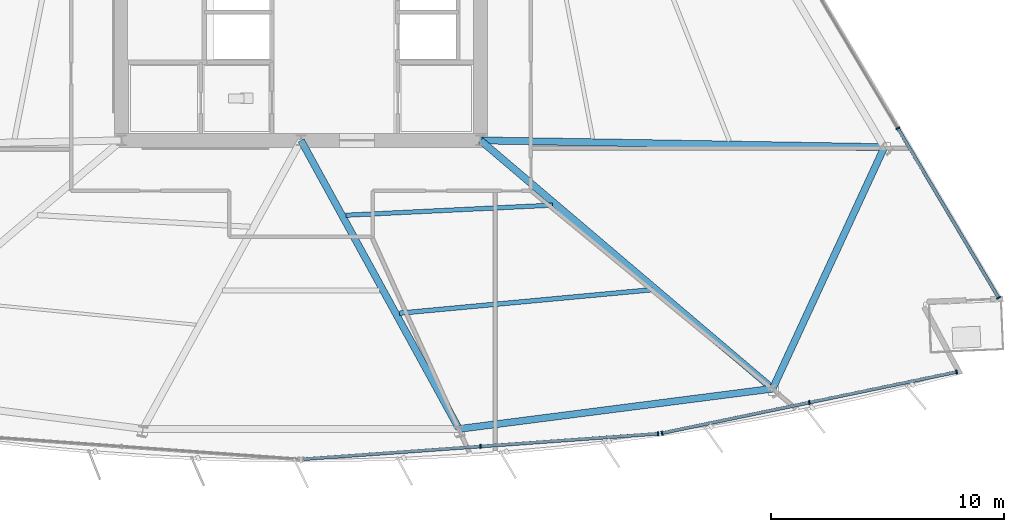
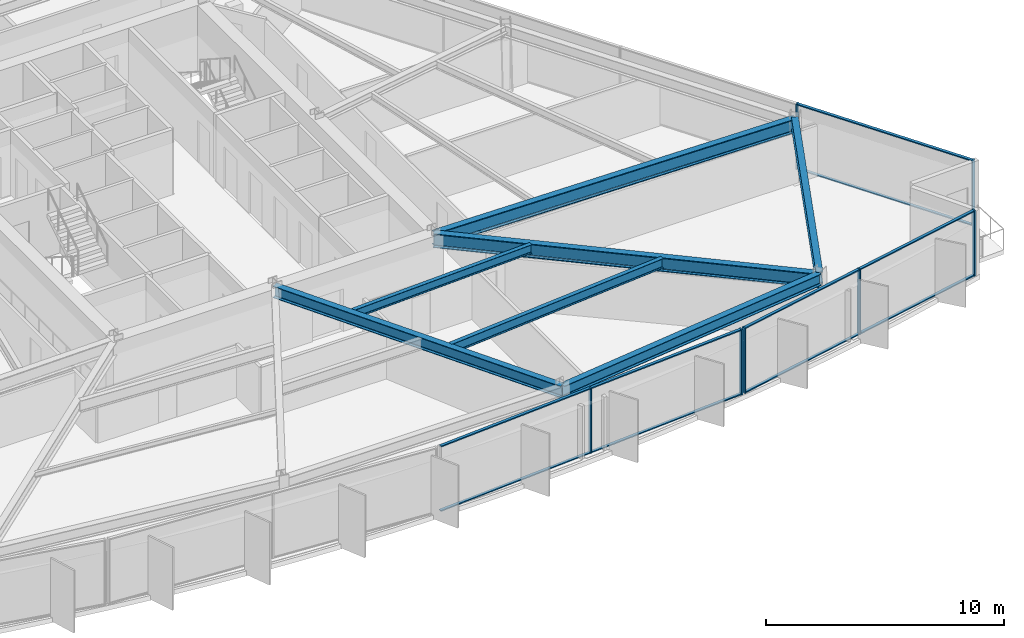
# One storey, part 5 of 16: 17 members, 7 beams, 3 elements without a shape of their own.
"""IFC4 building model written with IfcOpenShell, lengths in metres."""

from ifc_helpers import new_model, si_unit, direction, frame, origin, origin_2d, place, context, subcontext, project, spatial, rectangle, i_section, extrude, material, material_profile, profile_set, type_object, element, aggregate, save


model = new_model("IFC4")

# Units and contexts
model_context = context("Model", 3, precision=1e-05, world=origin(), true_north=direction((0.0, 1.0)))
body_context = subcontext(model_context, "Body", "Model", "MODEL_VIEW")
ifc_project = project(units=[si_unit("LENGTHUNIT", "METRE"), si_unit("AREAUNIT", "SQUARE_METRE"), si_unit("VOLUMEUNIT", "CUBIC_METRE"), si_unit("PLANEANGLEUNIT", "RADIAN"), si_unit("MASSUNIT", "GRAM", prefix="KILO")], contexts=[model_context])

# Site, building, storey
site_placement = place(None, origin())
site = spatial("IfcSite", under=ifc_project, at=site_placement, CompositionType="ELEMENT")
building_placement = place(site_placement, origin())
building = spatial("IfcBuilding", under=site, at=building_placement, Name="Savorim Split Tower", CompositionType="ELEMENT")
storey_placement = place(building_placement, frame((0.0, 0.0, 30.0)))
storey = spatial("IfcBuildingStorey", under=building, at=storey_placement, Name="L07", CompositionType="ELEMENT", Elevation=30.0)

# Beams
ifc_material_1 = material(Name="Steel S355", Category="steel")
ifc_material_profile_1 = material_profile(ifc_material_1, i_section(OverallWidth=0.18994140625, OverallDepth=0.449951171875, WebThickness=0.009521484375, FlangeThickness=0.0146484375, FilletRadius=0.02099609375, at=origin_2d()), Name="IPE 450")
ifc_profile_set_1 = profile_set([ifc_material_profile_1], Name="Steel S355")
beam_type_1 = type_object("IfcBeamType", Name="BM-JST-IPE450", PredefinedType="JOIST", material=ifc_profile_set_1)
beam_1_placement = place(storey_placement, frame((1.923095703125, -12.610595703125, 3.125), z_axis=(0.998809088175, 0.048789398223, 0.0), x_axis=(-0.048789398223, 0.998809088175, 0.0)))
element("IfcBeam", 1, at=beam_1_placement, inside=storey, type_object=beam_type_1, Name="L07 Secondary Floor Joist JS-05", PredefinedType="JOIST", context=body_context, shape_type="SweptSolid", body=[
    extrude(i_section(OverallWidth=0.18994140625, OverallDepth=0.449951171875, WebThickness=0.009521484375, FlangeThickness=0.0146484375, FilletRadius=0.02099609375, at=origin_2d()), origin(), (0.0, 0.0, 1.0), 8.886962890625),
])
ifc_material_profile_2 = material_profile(ifc_material_1, i_section(OverallWidth=0.199951171875, OverallDepth=0.5, WebThickness=0.01025390625, FlangeThickness=0.01611328125, FilletRadius=0.02099609375, at=origin_2d()), Name="IPE 500")
ifc_profile_set_2 = profile_set([ifc_material_profile_2], Name="Steel S355")
beam_type_2 = type_object("IfcBeamType", Name="BM-JST-IPE500", PredefinedType="JOIST", material=ifc_profile_set_2)
beam_2_placement = place(storey_placement, frame((4.228515625, -16.812255859375, 3.10009765625), z_axis=(0.995709297285, 0.092536453904, 0.0), x_axis=(-0.092536453904, 0.995709297285, 0.0)))
element("IfcBeam", 2, at=beam_2_placement, inside=storey, type_object=beam_type_2, Name="L07 Secondary Floor Joist JS-04", PredefinedType="JOIST", context=body_context, shape_type="SweptSolid", body=[
    extrude(i_section(OverallWidth=0.199951171875, OverallDepth=0.5, WebThickness=0.01025390625, FlangeThickness=0.01611328125, FilletRadius=0.02099609375, at=origin_2d()), origin(), (0.0, 0.0, 1.0), 10.88037109375),
])
ifc_material_profile_3 = material_profile(ifc_material_1, i_section(OverallWidth=0.300048828125, OverallDepth=0.60009765625, WebThickness=0.015380859375, FlangeThickness=0.030029296875, FilletRadius=0.027099609375, at=origin_2d()), Name="HEB 600")
ifc_profile_set_3 = profile_set([ifc_material_profile_3], Name="Steel S355")
beam_type_3 = type_object("IfcBeamType", Name="BM-PRI-HEB600", PredefinedType="BEAM", material=ifc_profile_set_3)
beam_3_placement = place(storey_placement, frame((6.781982421875, -21.778564453125, 3.050048828125), z_axis=(-0.480488547232, 0.877001001127, 0.0), x_axis=(-0.877001001127, -0.480488547232, 0.0)))
element("IfcBeam", 3, at=beam_3_placement, inside=storey, type_object=beam_type_3, Name="L07 Primary Floor Girder RG-03", PredefinedType="BEAM", context=body_context, shape_type="SweptSolid", body=[
    extrude(i_section(OverallWidth=0.300048828125, OverallDepth=0.60009765625, WebThickness=0.015380859375, FlangeThickness=0.030029296875, FilletRadius=0.027099609375, at=origin_2d()), origin(), (0.0, 0.0, 1.0), 14.11474609375),
])
ifc_material_2 = material(Name="Steel S460", Category="steel")
ifc_material_profile_4 = material_profile(ifc_material_2, i_section(OverallWidth=0.303955078125, OverallDepth=0.716064453125, WebThickness=0.02099609375, FlangeThickness=0.0400390625, FilletRadius=0.027099609375, at=origin_2d()), Name="HE 700 M")
ifc_profile_set_4 = profile_set([ifc_material_profile_4], Name="Steel S460")
beam_type_4 = type_object("IfcBeamType", Name="BM-PRI-HEM700", PredefinedType="BEAM", material=ifc_profile_set_4)
beam_4_placement = place(storey_placement, frame((20.236083984375, -20.05126953125, 2.991943359375), z_axis=(-0.762069664271, 0.647495039979, 0.0), x_axis=(-0.647495039979, -0.762069664271, 0.0)))
element("IfcBeam", 4, at=beam_4_placement, inside=storey, type_object=beam_type_4, Name="L07 Primary Floor Girder RG-04", PredefinedType="BEAM", context=body_context, shape_type="SweptSolid", body=[
    extrude(i_section(OverallWidth=0.303955078125, OverallDepth=0.716064453125, WebThickness=0.02099609375, FlangeThickness=0.0400390625, FilletRadius=0.027099609375, at=origin_2d()), origin(), (0.0, 0.0, 1.0), 16.4501953125),
])
beam_5_placement = place(storey_placement, frame((25.02587890625, -9.690185546875, 2.991943359375), z_axis=(-0.999859676826, 0.016751915056, 0.0), x_axis=(-0.016751915056, -0.999859676826, 0.0)))
element("IfcBeam", 5, at=beam_5_placement, inside=storey, type_object=beam_type_4, Name="L07 Primary Floor Girder RG-05", PredefinedType="BEAM", context=body_context, shape_type="SweptSolid", body=[
    extrude(i_section(OverallWidth=0.303955078125, OverallDepth=0.716064453125, WebThickness=0.02099609375, FlangeThickness=0.0400390625, FilletRadius=0.027099609375, at=origin_2d()), origin(), (0.0, 0.0, 1.0), 17.328369140625),
])
ifc_material_profile_5 = material_profile(ifc_material_1, i_section(OverallWidth=0.300048828125, OverallDepth=0.590087890625, WebThickness=0.012939453125, FlangeThickness=0.02490234375, FilletRadius=0.027099609375, at=origin_2d()), Name="HEA 600")
ifc_profile_set_5 = profile_set([ifc_material_profile_5], Name="Steel S355")
beam_type_5 = type_object("IfcBeamType", Name="BM-SPN-HEA600", PredefinedType="SPANDREL", material=ifc_profile_set_5)
beam_6_placement = place(storey_placement, frame((6.781982421875, -21.778564453125, 3.054931640625), z_axis=(0.99185923852, 0.12733911796, 0.0), x_axis=(-0.12733911796, 0.99185923852, 0.0)))
element("IfcBeam", 6, at=beam_6_placement, inside=storey, type_object=beam_type_5, Name="L07 Perimeter Spandrel Beam 3", PredefinedType="SPANDREL", context=body_context, shape_type="SweptSolid", body=[
    extrude(i_section(OverallWidth=0.300048828125, OverallDepth=0.590087890625, WebThickness=0.012939453125, FlangeThickness=0.02490234375, FilletRadius=0.027099609375, at=origin_2d()), origin(), (0.0, 0.0, 1.0), 13.564453125),
])
beam_7_placement = place(storey_placement, frame((20.236083984375, -20.05126953125, 3.054931640625), z_axis=(0.419618264113, 0.907700673362, 0.0), x_axis=(-0.907700673362, 0.419618264113, 0.0)))
element("IfcBeam", 7, at=beam_7_placement, inside=storey, type_object=beam_type_5, Name="L07 Perimeter Spandrel Beam 4", PredefinedType="SPANDREL", context=body_context, shape_type="SweptSolid", body=[
    extrude(i_section(OverallWidth=0.300048828125, OverallDepth=0.590087890625, WebThickness=0.012939453125, FlangeThickness=0.02490234375, FilletRadius=0.027099609375, at=origin_2d()), origin(), (0.0, 0.0, 1.0), 11.41455078125),
])

# Curtain wall, members
ifc_material_3 = material(Name="Dark Ceramic-Fritted Insulated Glass", Category="glass")
curtain_wall_type = type_object("IfcCurtainWallType", Name="CW-TWR-FRIT-A", PredefinedType="NOTDEFINED", material=ifc_material_3)
curtain_wall_1_placement = place(storey_placement, origin())
curtain_wall_1 = element("IfcCurtainWall", 8, at=curtain_wall_1_placement, inside=storey, type_object=curtain_wall_type, Name="L07 Curtain Wall CW-L07-SF3", PredefinedType="NOTDEFINED")
ifc_material_4 = material(Name="Charcoal Anodised Aluminium", Category="aluminium")
ifc_material_profile_6 = material_profile(ifc_material_4, rectangle(XDim=0.179931640625, YDim=0.06494140625, at=origin_2d()), Name="ALU-M 180x65")
ifc_profile_set_6 = profile_set([ifc_material_profile_6], Name="Charcoal Anodised Aluminium")
member_type_1 = type_object("IfcMemberType", Name="CWM-180x65", PredefinedType="MULLION", material=ifc_profile_set_6)
member_1_placement = place(storey_placement, frame((7.7021484375, -22.527099609375, 0.0), z_axis=(0.0, 0.0, 1.0), x_axis=(-0.071560199658, 0.997436282589, 0.0)))
member_1 = element("IfcMember", 9, at=member_1_placement, type_object=member_type_1, Name="CW-02 mullion 2", PredefinedType="MULLION", context=body_context, shape_type="SweptSolid", body=[
    extrude(rectangle(XDim=0.179931640625, YDim=0.06494140625, at=origin_2d()), origin(), (0.0, 0.0, 1.0), 3.35009765625),
])
member_2_placement = place(storey_placement, frame((15.320556640625, -21.98046875, 0.0), z_axis=(0.0, 0.0, 1.0), x_axis=(-0.071560199658, 0.997436282589, 0.0)))
member_2 = element("IfcMember", 10, at=member_2_placement, type_object=member_type_1, Name="CW-02 mullion 3", PredefinedType="MULLION", context=body_context, shape_type="SweptSolid", body=[
    extrude(rectangle(XDim=0.179931640625, YDim=0.06494140625, at=origin_2d()), origin(), (0.0, 0.0, 1.0), 3.35009765625),
])

curtain_wall_2_placement = place(storey_placement, origin())
curtain_wall_2 = element("IfcCurtainWall", 11, at=curtain_wall_2_placement, inside=storey, type_object=curtain_wall_type, Name="L07 Curtain Wall CW-L07-SF4", PredefinedType="NOTDEFINED")
member_3_placement = place(storey_placement, frame((15.487548828125, -21.957275390625, 0.0), z_axis=(0.0, 0.0, 1.0), x_axis=(-0.203210322793, 0.979135110549, 0.0)))
member_3 = element("IfcMember", 12, at=member_3_placement, type_object=member_type_1, Name="CW-02 mullion 1", PredefinedType="MULLION", context=body_context, shape_type="SweptSolid", body=[
    extrude(rectangle(XDim=0.179931640625, YDim=0.06494140625, at=origin_2d()), origin(), (0.0, 0.0, 1.0), 3.35009765625),
])
member_4_placement = place(storey_placement, frame((21.807861328125, -20.6455078125, 0.0), z_axis=(0.0, 0.0, 1.0), x_axis=(-0.203210322793, 0.979135110549, 0.0)))
member_4 = element("IfcMember", 13, at=member_4_placement, type_object=member_type_1, Name="CW-02 mullion 2", PredefinedType="MULLION", context=body_context, shape_type="SweptSolid", body=[
    extrude(rectangle(XDim=0.179931640625, YDim=0.06494140625, at=origin_2d()), origin(), (0.0, 0.0, 1.0), 3.35009765625),
])
member_5_placement = place(storey_placement, frame((28.12841796875, -19.333740234375, 0.0), z_axis=(0.0, 0.0, 1.0), x_axis=(-0.203210322793, 0.979135110549, 0.0)))
member_5 = element("IfcMember", 14, at=member_5_placement, type_object=member_type_1, Name="CW-02 mullion 3", PredefinedType="MULLION", context=body_context, shape_type="SweptSolid", body=[
    extrude(rectangle(XDim=0.179931640625, YDim=0.06494140625, at=origin_2d()), origin(), (0.0, 0.0, 1.0), 3.35009765625),
])

curtain_wall_3_placement = place(storey_placement, origin())
curtain_wall_3 = element("IfcCurtainWall", 15, at=curtain_wall_3_placement, inside=storey, type_object=curtain_wall_type, Name="L07 Curtain Wall CW-L07-EAST", PredefinedType="NOTDEFINED")
member_6_placement = place(storey_placement, frame((29.927978515625, -16.14990234375, 0.0), z_axis=(0.0, 0.0, 1.0), x_axis=(-0.859525752007, -0.511092439425, 0.0)))
member_6 = element("IfcMember", 16, at=member_6_placement, type_object=member_type_1, Name="CW-02 mullion 1", PredefinedType="MULLION", context=body_context, shape_type="SweptSolid", body=[
    extrude(rectangle(XDim=0.179931640625, YDim=0.06494140625, at=origin_2d()), origin(), (0.0, 0.0, 1.0), 3.35009765625),
])
member_7_placement = place(storey_placement, frame((25.604248046875, -8.878662109375, 0.0), z_axis=(0.0, 0.0, 1.0), x_axis=(-0.859525752007, -0.511092439425, 0.0)))
member_7 = element("IfcMember", 17, at=member_7_placement, type_object=member_type_1, Name="CW-02 mullion 2", PredefinedType="MULLION", context=body_context, shape_type="SweptSolid", body=[
    extrude(rectangle(XDim=0.179931640625, YDim=0.06494140625, at=origin_2d()), origin(), (0.0, 0.0, 1.0), 3.35009765625),
])

# Member
ifc_material_profile_7 = material_profile(ifc_material_4, rectangle(XDim=0.139892578125, YDim=0.054931640625, at=origin_2d()), Name="ALU-T 140x55")
ifc_profile_set_7 = profile_set([ifc_material_profile_7], Name="Charcoal Anodised Aluminium")
member_type_2 = type_object("IfcMemberType", Name="CWT-140x55", PredefinedType="USERDEFINED", material=ifc_profile_set_7)
member_8_placement = place(storey_placement, frame((0.1162109375, -23.0712890625, 0.027587890625), z_axis=(0.997437873969, 0.071538014879, 0.0), x_axis=(-0.071538014879, 0.997437873969, 0.0)))
member_8 = element("IfcMember", 18, at=member_8_placement, type_object=member_type_2, Name="CW-02 transom 1.1", ObjectType="TRANSOM", PredefinedType="USERDEFINED", context=body_context, shape_type="SweptSolid", body=[
    extrude(rectangle(XDim=0.139892578125, YDim=0.054931640625, at=origin_2d()), origin(), (0.0, 0.0, 1.0), 7.57275390625),
])

member_9_placement = place(storey_placement, frame((0.1162109375, -23.0712890625, 3.322509765625), z_axis=(0.997437873969, 0.071538014879, 0.0), x_axis=(-0.071538014879, 0.997437873969, 0.0)))
member_9 = element("IfcMember", 19, at=member_9_placement, type_object=member_type_2, Name="CW-02 transom 1.2", ObjectType="TRANSOM", PredefinedType="USERDEFINED", context=body_context, shape_type="SweptSolid", body=[
    extrude(rectangle(XDim=0.139892578125, YDim=0.054931640625, at=origin_2d()), origin(), (0.0, 0.0, 1.0), 7.57275390625),
])

member_10_placement = place(storey_placement, frame((7.734619140625, -22.524658203125, 0.027587890625), z_axis=(0.997437873969, 0.071538014879, 0.0), x_axis=(-0.071538014879, 0.997437873969, 0.0)))
member_10 = element("IfcMember", 20, at=member_10_placement, type_object=member_type_2, Name="CW-02 transom 2.1", ObjectType="TRANSOM", PredefinedType="USERDEFINED", context=body_context, shape_type="SweptSolid", body=[
    extrude(rectangle(XDim=0.139892578125, YDim=0.054931640625, at=origin_2d()), origin(), (0.0, 0.0, 1.0), 7.57275390625),
])

member_11_placement = place(storey_placement, frame((7.734619140625, -22.524658203125, 3.322509765625), z_axis=(0.997437873969, 0.071538014879, 0.0), x_axis=(-0.071538014879, 0.997437873969, 0.0)))
member_11 = element("IfcMember", 21, at=member_11_placement, type_object=member_type_2, Name="CW-02 transom 2.2", ObjectType="TRANSOM", PredefinedType="USERDEFINED", context=body_context, shape_type="SweptSolid", body=[
    extrude(rectangle(XDim=0.139892578125, YDim=0.054931640625, at=origin_2d()), origin(), (0.0, 0.0, 1.0), 7.57275390625),
])

aggregate(curtain_wall_1, [member_1, member_2, member_8, member_9, member_10, member_11])

member_12_placement = place(storey_placement, frame((15.519287109375, -21.95068359375, 0.027587890625), z_axis=(0.979133980901, 0.203215765741, 0.0), x_axis=(-0.203215765741, 0.979133980901, 0.0)))
member_12 = element("IfcMember", 22, at=member_12_placement, type_object=member_type_2, Name="CW-02 transom 1.1", ObjectType="TRANSOM", PredefinedType="USERDEFINED", context=body_context, shape_type="SweptSolid", body=[
    extrude(rectangle(XDim=0.139892578125, YDim=0.054931640625, at=origin_2d()), origin(), (0.0, 0.0, 1.0), 6.39013671875),
])

member_13_placement = place(storey_placement, frame((15.519287109375, -21.95068359375, 3.322509765625), z_axis=(0.979133980901, 0.203215765741, 0.0), x_axis=(-0.203215765741, 0.979133980901, 0.0)))
member_13 = element("IfcMember", 23, at=member_13_placement, type_object=member_type_2, Name="CW-02 transom 1.2", ObjectType="TRANSOM", PredefinedType="USERDEFINED", context=body_context, shape_type="SweptSolid", body=[
    extrude(rectangle(XDim=0.139892578125, YDim=0.054931640625, at=origin_2d()), origin(), (0.0, 0.0, 1.0), 6.39013671875),
])

member_14_placement = place(storey_placement, frame((21.83984375, -20.638916015625, 0.027587890625), z_axis=(0.979132403047, 0.203223368003, 0.0), x_axis=(-0.203223368003, 0.979132403047, 0.0)))
member_14 = element("IfcMember", 24, at=member_14_placement, type_object=member_type_2, Name="CW-02 transom 2.1", ObjectType="TRANSOM", PredefinedType="USERDEFINED", context=body_context, shape_type="SweptSolid", body=[
    extrude(rectangle(XDim=0.139892578125, YDim=0.054931640625, at=origin_2d()), origin(), (0.0, 0.0, 1.0), 6.389892578125),
])

member_15_placement = place(storey_placement, frame((21.83984375, -20.638916015625, 3.322509765625), z_axis=(0.979132403047, 0.203223368003, 0.0), x_axis=(-0.203223368003, 0.979132403047, 0.0)))
member_15 = element("IfcMember", 25, at=member_15_placement, type_object=member_type_2, Name="CW-02 transom 2.2", ObjectType="TRANSOM", PredefinedType="USERDEFINED", context=body_context, shape_type="SweptSolid", body=[
    extrude(rectangle(XDim=0.139892578125, YDim=0.054931640625, at=origin_2d()), origin(), (0.0, 0.0, 1.0), 6.389892578125),
])

aggregate(curtain_wall_2, [member_3, member_4, member_5, member_12, member_13, member_14, member_15])

member_16_placement = place(storey_placement, frame((29.911376953125, -16.1220703125, 0.027587890625), z_axis=(-0.511091652485, 0.859526219938, 0.0), x_axis=(-0.859526219938, -0.511091652485, 0.0)))
member_16 = element("IfcMember", 26, at=member_16_placement, type_object=member_type_2, Name="CW-02 transom 1.1", ObjectType="TRANSOM", PredefinedType="USERDEFINED", context=body_context, shape_type="SweptSolid", body=[
    extrude(rectangle(XDim=0.139892578125, YDim=0.054931640625, at=origin_2d()), origin(), (0.0, 0.0, 1.0), 8.394775390625),
])

member_17_placement = place(storey_placement, frame((29.911376953125, -16.1220703125, 3.322509765625), z_axis=(-0.511091652485, 0.859526219938, 0.0), x_axis=(-0.859526219938, -0.511091652485, 0.0)))
member_17 = element("IfcMember", 27, at=member_17_placement, type_object=member_type_2, Name="CW-02 transom 1.2", ObjectType="TRANSOM", PredefinedType="USERDEFINED", context=body_context, shape_type="SweptSolid", body=[
    extrude(rectangle(XDim=0.139892578125, YDim=0.054931640625, at=origin_2d()), origin(), (0.0, 0.0, 1.0), 8.394775390625),
])

aggregate(curtain_wall_3, [member_6, member_7, member_16, member_17])

save(model, "model.ifc")
